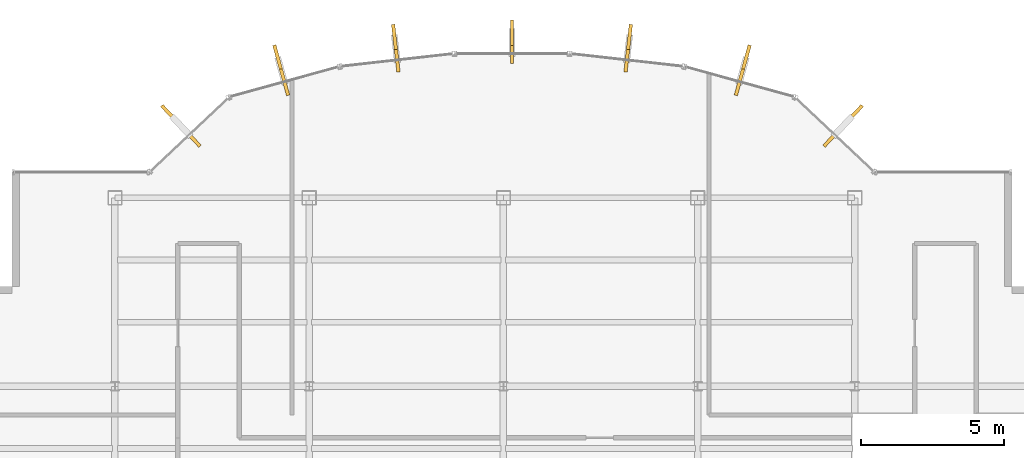
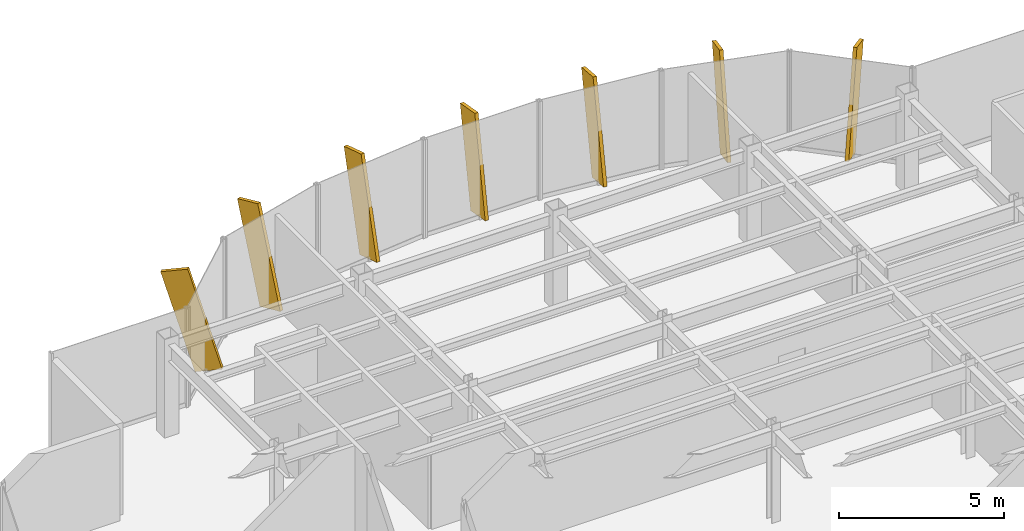
# One storey, part 21 of 22: 7 shading devices.
"""IFC4 building model written with IfcOpenShell, lengths in metres."""

from ifc_helpers import new_model, si_unit, derived_unit, direction, frame, origin, origin_2d, place, context, subcontext, project, spatial, rectangle, extrude, source, transform, mapped, material, type_object, element, save


model = new_model("IFC4")

# Units and contexts
model_context = context("Model", 3, precision=1e-05, world=origin(), true_north=direction((0.0, 1.0)))
body_context = subcontext(model_context, "Body", "Model", "MODEL_VIEW")
ifc_project = project(units=[si_unit("LENGTHUNIT", "METRE"), si_unit("AREAUNIT", "SQUARE_METRE"), si_unit("VOLUMEUNIT", "CUBIC_METRE"), si_unit("PLANEANGLEUNIT", "RADIAN"), si_unit("MASSUNIT", "GRAM", prefix="KILO"), derived_unit("THERMALTRANSMITTANCEUNIT", [(si_unit("POWERUNIT", "WATT"), 1), (si_unit("LENGTHUNIT", "METRE"), -2), (si_unit("THERMODYNAMICTEMPERATUREUNIT", "KELVIN"), -1)])], contexts=[model_context])

# Site, building, storey
site_placement = place(None, origin())
site = spatial("IfcSite", under=ifc_project, at=site_placement, CompositionType="ELEMENT")
building_placement = place(site_placement, origin())
building = spatial("IfcBuilding", under=site, at=building_placement, Name="Skarnbrae Concourse Arena and Tower", CompositionType="ELEMENT")
storey_placement = place(building_placement, frame((0.0, 0.0, 244.199951171875)))
storey = spatial("IfcBuildingStorey", under=building, at=storey_placement, Name="L63", CompositionType="ELEMENT", Elevation=244.199951171875)

# Shading devices
ifc_material = material(Name="Bronze anodised aluminium 6063-T6", Category="aluminium")
shading_device_type = type_object("IfcShadingDeviceType", Name="SHD-BRONZE-FIN-900", PredefinedType="USERDEFINED", material=ifc_material)
shared_shape = source(origin(), body_context, "Body", "SweptSolid", [
    extrude(rectangle(XDim=0.1201171875, YDim=0.89990234375, at=origin_2d()), origin(), (0.0, 0.0, 1.0), 3.64990234375),
])
for number, where, z_axis, x_axis, name in (
    (1, (32.719482421875, 36.522705078125, 0.0830078125), (0.204517004551, 0.217255972062, 0.954448865814), (0.728131751529, -0.685437198009, 0.0), "L63 Outward-leaning bronze shading fin 08"),
    (2, (29.452392578125, 38.40576171875, 0.063720703125), (0.069616483156, 0.252603280643, 0.965062240418), (0.964058316208, -0.265690728011, 0.0), "L63 Outward-leaning bronze shading fin 09"),
    (3, (25.52392578125, 39.2431640625, 0.044189453125), (0.024350376121, 0.217122703093, 0.975840556128), (0.993769864509, -0.111451587667, 0.0), "L63 Outward-leaning bronze shading fin 10"),
    (4, (21.5, 39.5498046875, 0.02783203125), (0.0, 0.173648177667, 0.984807753012), (1.0, 0.0, 0.0), "L63 Outward-leaning bronze shading fin 11"),
    (5, (17.47607421875, 39.2431640625, 0.044189453125), (-0.024350376121, 0.217122703093, 0.975840556128), (0.993769864509, 0.111451587667, 0.0), "L63 Outward-leaning bronze shading fin 12"),
    (6, (13.547607421875, 38.40576171875, 0.063720703125), (-0.069616483156, 0.252603280643, 0.965062240418), (0.964058316208, 0.265690728011, 0.0), "L63 Outward-leaning bronze shading fin 13"),
    (7, (10.280517578125, 36.522705078125, 0.0830078125), (-0.204517004551, 0.217255972062, 0.954448865814), (0.728131751529, 0.685437198009, 0.0), "L63 Outward-leaning bronze shading fin 14"),
):
    element("IfcShadingDevice", number, at=place(storey_placement, frame(where, z_axis=z_axis, x_axis=x_axis)), inside=storey, type_object=shading_device_type, Name=name, ObjectType="FIN", PredefinedType="USERDEFINED", context=body_context, shape_type="MappedRepresentation", body=[
        mapped(shared_shape, transform((0.0, 0.0, 0.0))),
    ])

save(model, "model.ifc")
